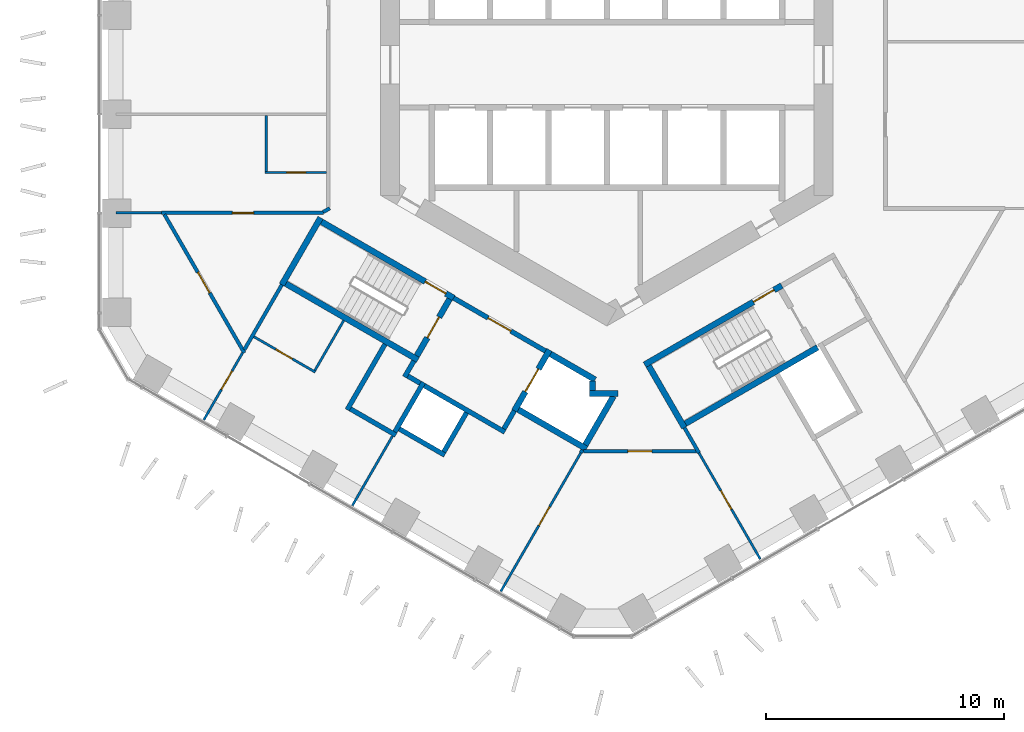
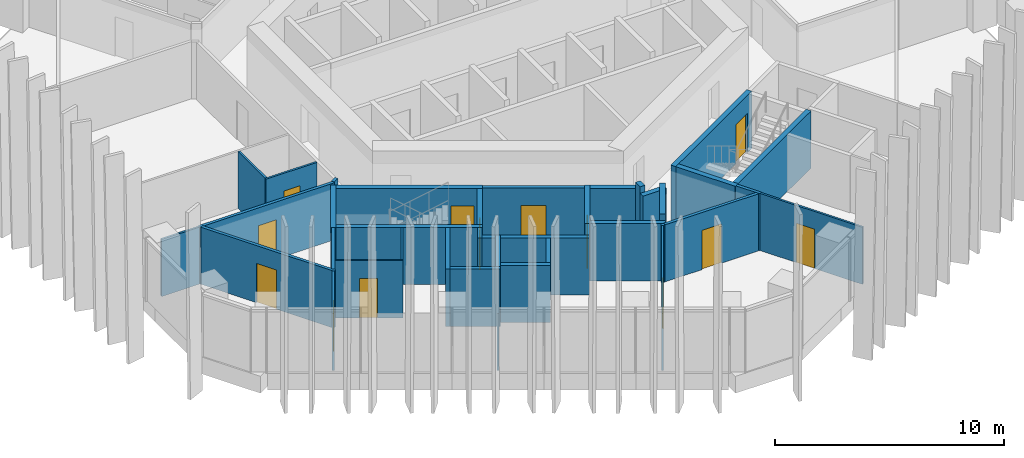
# One storey, part 13 of 20: 39 walls, 13 doors, 13 openings.
"""IFC4 building model written with IfcOpenShell, lengths in metres."""

from ifc_helpers import new_model, si_unit, direction, frame, frame_2d, origin, place, context, subcontext, project, spatial, rectangle, extrude, material, layer, layer_set, type_object, element, fill, save


model = new_model("IFC4")

# Units and contexts
model_context = context("Model", 3, precision=1e-05, world=origin(), true_north=direction((0.0, 1.0)))
body_context = subcontext(model_context, "Body", "Model", "MODEL_VIEW")
ifc_project = project(units=[si_unit("LENGTHUNIT", "METRE"), si_unit("AREAUNIT", "SQUARE_METRE"), si_unit("VOLUMEUNIT", "CUBIC_METRE"), si_unit("PLANEANGLEUNIT", "RADIAN"), si_unit("MASSUNIT", "GRAM", prefix="KILO")], contexts=[model_context])

# Site, building, storey
site_placement = place(None, origin())
site = spatial("IfcSite", under=ifc_project, at=site_placement, CompositionType="ELEMENT")
building_placement = place(site_placement, origin())
building = spatial("IfcBuilding", under=site, at=building_placement, Name="Ayvan Gate Tower", CompositionType="ELEMENT")
storey_placement = place(building_placement, frame((0.0, 0.0, 35.699951171875)))
storey = spatial("IfcBuildingStorey", under=building, at=storey_placement, Name="L08", CompositionType="ELEMENT", Elevation=35.699951171875)

# Wall, opening, door
ifc_material_1 = material(Name="Plasterboard on steel stud", Category="steel")
ifc_layer_1 = layer(ifc_material_1, 0.14990234375)
ifc_layer_set_1 = layer_set([ifc_layer_1], Name="Plasterboard on steel stud")
wall_type_1 = type_object("IfcWallType", Name="WT-CORR-150", PredefinedType="PARTITIONING", material=ifc_layer_set_1)
wall_1_placement = place(storey_placement, frame((-18.69091796875, -6.222412109375, 0.0), z_axis=(0.0, 0.0, 1.0), x_axis=(1.0, 0.0, 0.0)))
wall_1 = element("IfcWall", 1, at=wall_1_placement, inside=storey, type_object=wall_type_1, Name="IW-L08-003", PredefinedType="PARTITIONING", context=body_context, shape_type="SweptSolid", body=[
    extrude(rectangle(XDim=6.788330078125, YDim=0.14990234375, at=frame_2d((3.39404296875, 0.0))), origin(), (0.0, 0.0, 1.0), 3.050048828125),
])
opening_1_placement = place(wall_1_placement, frame((2.96142578125, 0.0, 0.0)))
opening_1 = element("IfcOpeningElement", 2, at=opening_1_placement, cuts=wall_1, Name="Opening L08-D23", PredefinedType="OPENING", context=body_context, shape_type="SweptSolid", body=[
    extrude(rectangle(XDim=0.89990234375, YDim=2.10009765625, at=frame_2d((0.449951171875, 1.050048828125))), frame((0.0, 0.0849609375, 0.0), z_axis=(0.0, -1.0, 0.0), x_axis=(1.0, 0.0, 0.0)), (0.0, 0.0, 1.0), 0.169921875),
])
ifc_material_2 = material(Name="Timber door leaf", Category="wood")
door_type_1 = type_object("IfcDoorType", Name="DT-900", OperationType="NOTDEFINED", PredefinedType="DOOR", material=ifc_material_2)
door_1_placement = place(opening_1_placement, origin())
door_1 = element("IfcDoor", 3, at=door_1_placement, inside=storey, type_object=door_type_1, Name="ID-L08-023", OperationType="SINGLE_SWING_LEFT", OverallHeight=2.10009765625, OverallWidth=0.89990234375, PredefinedType="DOOR", context=body_context, shape_type="SweptSolid", body=[
    extrude(rectangle(XDim=0.89990234375, YDim=2.10009765625, at=frame_2d((0.449951171875, 1.050048828125))), frame((0.0, 0.02490234375, 0.0), z_axis=(0.0, -1.0, 0.0), x_axis=(1.0, 0.0, 0.0)), (0.0, 0.0, 1.0), 0.050048828125),
])
fill(opening_1, door_1)

wall_2_placement = place(storey_placement, frame((-15.2236328125, -12.09814453125, 0.0), z_axis=(0.0, 0.0, 1.0), x_axis=(-0.499985979596, 0.866033498317, 0.0)))
wall_2 = element("IfcWall", 4, at=wall_2_placement, inside=storey, type_object=wall_type_1, Name="IW-L08-005", PredefinedType="PARTITIONING", context=body_context, shape_type="SweptSolid", body=[
    extrude(rectangle(XDim=6.709716796875, YDim=0.14990234375, at=frame_2d((3.35498046875, 0.0))), origin(), (0.0, 0.0, 1.0), 3.050048828125),
])
opening_2_placement = place(wall_2_placement, frame((2.90966796875, 0.0, 0.0)))
opening_2 = element("IfcOpeningElement", 5, at=opening_2_placement, cuts=wall_2, Name="Opening L08-D25", PredefinedType="OPENING", context=body_context, shape_type="SweptSolid", body=[
    extrude(rectangle(XDim=1.0, YDim=2.10009765625, at=frame_2d((0.5, 1.050048828125))), frame((0.0, 0.0849609375, 0.0), z_axis=(0.0, -1.0, 0.0), x_axis=(1.0, 0.0, 0.0)), (0.0, 0.0, 1.0), 0.169921875),
])
door_type_2 = type_object("IfcDoorType", Name="DT-1000", OperationType="NOTDEFINED", PredefinedType="DOOR", material=ifc_material_2)
door_2_placement = place(opening_2_placement, origin())
door_2 = element("IfcDoor", 6, at=door_2_placement, inside=storey, type_object=door_type_2, Name="ID-L08-025", OperationType="SINGLE_SWING_LEFT", OverallHeight=2.10009765625, OverallWidth=1.0, PredefinedType="DOOR", context=body_context, shape_type="SweptSolid", body=[
    extrude(rectangle(XDim=1.0, YDim=2.10009765625, at=frame_2d((0.5, 1.050048828125))), frame((0.0, 0.02490234375, 0.0), z_axis=(0.0, -1.0, 0.0), x_axis=(1.0, 0.0, 0.0)), (0.0, 0.0, 1.0), 0.050048828125),
])
fill(opening_2, door_2)

# Walls
wall_3_placement = place(storey_placement, frame((-15.2236328125, -11.96826171875, 0.0), z_axis=(0.0, 0.0, 1.0), x_axis=(0.500013012896, 0.866017890655, 0.0)))
element("IfcWall", 7, at=wall_3_placement, inside=storey, type_object=wall_type_1, Name="IW-L08-008", PredefinedType="PARTITIONING", context=body_context, shape_type="SweptSolid", body=[
    extrude(rectangle(XDim=3.15185546875, YDim=0.14990234375, at=frame_2d((1.575927734375, 0.0))), origin(), (0.0, 0.0, 1.0), 3.050048828125),
])
wall_4_placement = place(storey_placement, frame((-11.91259765625, -6.184814453125, 0.0), z_axis=(0.0, 0.0, 1.0), x_axis=(0.866172903102, 0.499744436618, 0.0)))
element("IfcWall", 8, at=wall_4_placement, inside=storey, type_object=wall_type_1, Name="IW-L08-017", PredefinedType="PARTITIONING", context=body_context, shape_type="SweptSolid", body=[
    extrude(rectangle(XDim=0.320556640625, YDim=0.14990234375, at=frame_2d((0.16015625, 0.0))), origin(), (0.0, 0.0, 1.0), 3.050048828125),
])
wall_5_placement = place(storey_placement, frame((-1.095703125, -16.298095703125, 0.0), z_axis=(0.0, 0.0, 1.0), x_axis=(0.499004859493, 0.866599186592, 0.0)))
element("IfcWall", 9, at=wall_5_placement, inside=storey, type_object=wall_type_1, Name="IW-L08-057", PredefinedType="PARTITIONING", context=body_context, shape_type="SweptSolid", body=[
    extrude(rectangle(XDim=0.137451171875, YDim=0.14990234375, at=frame_2d((0.06884765625, 0.0))), origin(), (0.0, 0.0, 1.0), 3.050048828125),
])
wall_6_placement = place(storey_placement, frame((3.255615234375, -15.23876953125, 0.0), z_axis=(0.0, 0.0, 1.0), x_axis=(0.499981614633, -0.866036018321, 0.0)))
element("IfcWall", 10, at=wall_6_placement, inside=storey, type_object=wall_type_1, Name="IW-L08-077", PredefinedType="PARTITIONING", context=body_context, shape_type="SweptSolid", body=[
    extrude(rectangle(XDim=1.22314453125, YDim=0.14990234375, at=frame_2d((0.611572265625, 0.0))), origin(), (0.0, 0.0, 1.0), 3.050048828125),
])

# Wall, opening, door
wall_7_placement = place(storey_placement, frame((3.754638671875, -16.233154296875, 0.0), z_axis=(0.0, 0.0, 1.0), x_axis=(-1.0, 0.0, 0.0)))
wall_7 = element("IfcWall", 11, at=wall_7_placement, inside=storey, type_object=wall_type_1, Name="IW-L08-081", PredefinedType="PARTITIONING", context=body_context, shape_type="SweptSolid", body=[
    extrude(rectangle(XDim=4.738037109375, YDim=0.14990234375, at=frame_2d((2.369140625, 0.0))), origin(), (0.0, 0.0, 1.0), 3.050048828125),
])
opening_3_placement = place(wall_7_placement, frame((1.868896484375, 0.0, 0.0)))
opening_3 = element("IfcOpeningElement", 12, at=opening_3_placement, cuts=wall_7, Name="Opening L08-D28", PredefinedType="OPENING", context=body_context, shape_type="SweptSolid", body=[
    extrude(rectangle(XDim=1.0, YDim=2.10009765625, at=frame_2d((0.5, 1.050048828125))), frame((0.0, 0.0849609375, 0.0), z_axis=(0.0, -1.0, 0.0), x_axis=(1.0, 0.0, 0.0)), (0.0, 0.0, 1.0), 0.169921875),
])
door_3_placement = place(opening_3_placement, origin())
door_3 = element("IfcDoor", 13, at=door_3_placement, inside=storey, type_object=door_type_2, Name="ID-L08-028", OperationType="SINGLE_SWING_RIGHT", OverallHeight=2.10009765625, OverallWidth=1.0, PredefinedType="DOOR", context=body_context, shape_type="SweptSolid", body=[
    extrude(rectangle(XDim=1.0, YDim=2.10009765625, at=frame_2d((0.5, 1.050048828125))), frame((0.0, 0.02490234375, 0.0), z_axis=(0.0, -1.0, 0.0), x_axis=(1.0, 0.0, 0.0)), (0.0, 0.0, 1.0), 0.050048828125),
])
fill(opening_3, door_3)

# Wall
ifc_layer_2 = layer(ifc_material_1, 0.10009765625)
ifc_layer_set_2 = layer_set([ifc_layer_2], Name="Plasterboard on steel stud")
wall_type_2 = type_object("IfcWallType", Name="WT-PART-100", PredefinedType="PARTITIONING", material=ifc_layer_set_2)
wall_8_placement = place(storey_placement, frame((-18.69091796875, -6.222412109375, 0.0), z_axis=(0.0, 0.0, 1.0), x_axis=(-1.0, 0.0, 0.0)))
element("IfcWall", 14, at=wall_8_placement, inside=storey, type_object=wall_type_2, Name="IW-L08-002", PredefinedType="PARTITIONING", context=body_context, shape_type="SweptSolid", body=[
    extrude(rectangle(XDim=1.915771484375, YDim=0.10009765625, at=frame_2d((0.9580078125, 0.0))), origin(), (0.0, 0.0, 1.0), 3.050048828125),
])

# Wall, opening, door
wall_9_placement = place(storey_placement, frame((-15.298583984375, -12.09814453125, 0.0), z_axis=(0.0, 0.0, 1.0), x_axis=(-0.50003633994, -0.866004421894, 0.0)))
wall_9 = element("IfcWall", 15, at=wall_9_placement, inside=storey, type_object=wall_type_2, Name="IW-L08-006", PredefinedType="PARTITIONING", context=body_context, shape_type="SweptSolid", body=[
    extrude(rectangle(XDim=3.254150390625, YDim=0.10009765625, at=frame_2d((1.626953125, 0.0))), origin(), (0.0, 0.0, 1.0), 3.050048828125),
])
opening_4_placement = place(wall_9_placement, frame((0.87890625, 0.0, 0.0)))
opening_4 = element("IfcOpeningElement", 16, at=opening_4_placement, cuts=wall_9, Name="Opening L08-D26", PredefinedType="OPENING", context=body_context, shape_type="SweptSolid", body=[
    extrude(rectangle(XDim=0.89990234375, YDim=2.10009765625, at=frame_2d((0.449951171875, 1.050048828125))), frame((0.0, 0.06005859375, 0.0), z_axis=(0.0, -1.0, 0.0), x_axis=(1.0, 0.0, 0.0)), (0.0, 0.0, 1.0), 0.1201171875),
])
door_4_placement = place(opening_4_placement, origin())
door_4 = element("IfcDoor", 17, at=door_4_placement, inside=storey, type_object=door_type_1, Name="ID-L08-026", OperationType="SINGLE_SWING_RIGHT", OverallHeight=2.10009765625, OverallWidth=0.89990234375, PredefinedType="DOOR", context=body_context, shape_type="SweptSolid", body=[
    extrude(rectangle(XDim=0.89990234375, YDim=2.10009765625, at=frame_2d((0.449951171875, 1.050048828125))), frame((0.0, 0.02490234375, 0.0), z_axis=(0.0, -1.0, 0.0), x_axis=(1.0, 0.0, 0.0)), (0.0, 0.0, 1.0), 0.050048828125),
])
fill(opening_4, door_4)

wall_10_placement = place(storey_placement, frame((-14.8203125, -11.419677734375, 0.0), z_axis=(0.0, 0.0, 1.0), x_axis=(0.866017493347, -0.500013701029, 0.0)))
wall_10 = element("IfcWall", 18, at=wall_10_placement, inside=storey, type_object=wall_type_2, Name="IW-L08-007", PredefinedType="PARTITIONING", context=body_context, shape_type="SweptSolid", body=[
    extrude(rectangle(XDim=2.97509765625, YDim=0.10009765625, at=frame_2d((1.487548828125, 0.0))), origin(), (0.0, 0.0, 1.0), 3.050048828125),
])
opening_5_placement = place(wall_10_placement, frame((1.0625, 0.0, 0.0)))
opening_5 = element("IfcOpeningElement", 19, at=opening_5_placement, cuts=wall_10, Name="Opening L08-D27", PredefinedType="OPENING", context=body_context, shape_type="SweptSolid", body=[
    extrude(rectangle(XDim=0.800048828125, YDim=2.10009765625, at=frame_2d((0.39990234375, 1.050048828125))), frame((0.0, 0.06005859375, 0.0), z_axis=(0.0, -1.0, 0.0), x_axis=(1.0, 0.0, 0.0)), (0.0, 0.0, 1.0), 0.1201171875),
])
door_type_3 = type_object("IfcDoorType", Name="DT-800", OperationType="NOTDEFINED", PredefinedType="DOOR", material=ifc_material_2)
door_5_placement = place(opening_5_placement, origin())
door_5 = element("IfcDoor", 20, at=door_5_placement, inside=storey, type_object=door_type_3, Name="ID-L08-027", OperationType="SINGLE_SWING_LEFT", OverallHeight=2.10009765625, OverallWidth=0.800048828125, PredefinedType="DOOR", context=body_context, shape_type="SweptSolid", body=[
    extrude(rectangle(XDim=0.800048828125, YDim=2.10009765625, at=frame_2d((0.39990234375, 1.050048828125))), frame((0.0, 0.02490234375, 0.0), z_axis=(0.0, -1.0, 0.0), x_axis=(1.0, 0.0, 0.0)), (0.0, 0.0, 1.0), 0.050048828125),
])
fill(opening_5, door_5)

wall_11_placement = place(storey_placement, frame((-14.35009765625, -4.5224609375, 0.0), z_axis=(0.0, 0.0, 1.0), x_axis=(1.0, 0.0, 0.0)))
wall_11 = element("IfcWall", 21, at=wall_11_placement, inside=storey, type_object=wall_type_2, Name="IW-L08-010", PredefinedType="PARTITIONING", context=body_context, shape_type="SweptSolid", body=[
    extrude(rectangle(XDim=2.5751953125, YDim=0.10009765625, at=frame_2d((1.28759765625, 0.0))), origin(), (0.0, 0.0, 1.0), 3.050048828125),
])
opening_6_placement = place(wall_11_placement, frame((0.91259765625, 0.0, 0.0)))
opening_6 = element("IfcOpeningElement", 22, at=opening_6_placement, cuts=wall_11, Name="Opening L08-D24", PredefinedType="OPENING", context=body_context, shape_type="SweptSolid", body=[
    extrude(rectangle(XDim=0.800048828125, YDim=2.10009765625, at=frame_2d((0.39990234375, 1.050048828125))), frame((0.0, 0.06005859375, 0.0), z_axis=(0.0, -1.0, 0.0), x_axis=(1.0, 0.0, 0.0)), (0.0, 0.0, 1.0), 0.1201171875),
])
door_6_placement = place(opening_6_placement, origin())
door_6 = element("IfcDoor", 23, at=door_6_placement, inside=storey, type_object=door_type_3, Name="ID-L08-024", OperationType="SINGLE_SWING_RIGHT", OverallHeight=2.10009765625, OverallWidth=0.800048828125, PredefinedType="DOOR", context=body_context, shape_type="SweptSolid", body=[
    extrude(rectangle(XDim=0.800048828125, YDim=2.10009765625, at=frame_2d((0.39990234375, 1.050048828125))), frame((0.0, 0.02490234375, 0.0), z_axis=(0.0, -1.0, 0.0), x_axis=(1.0, 0.0, 0.0)), (0.0, 0.0, 1.0), 0.050048828125),
])
fill(opening_6, door_6)

# Walls
wall_12_placement = place(storey_placement, frame((-14.300048828125, -2.1240234375, 0.0), z_axis=(0.0, 0.0, 1.0), x_axis=(0.0, -1.0, 0.0)))
element("IfcWall", 24, at=wall_12_placement, inside=storey, type_object=wall_type_2, Name="IW-L08-011", PredefinedType="PARTITIONING", context=body_context, shape_type="SweptSolid", body=[
    extrude(rectangle(XDim=2.348388671875, YDim=0.10009765625, at=frame_2d((1.17431640625, 0.0))), origin(), (0.0, 0.0, 1.0), 3.050048828125),
])
wall_13_placement = place(storey_placement, frame((-12.26220703125, -12.8388671875, 0.0), z_axis=(0.0, 0.0, 1.0), x_axis=(0.499972286653, 0.866041403502, 0.0)))
element("IfcWall", 25, at=wall_13_placement, inside=storey, type_object=wall_type_2, Name="IW-L08-014", PredefinedType="PARTITIONING", context=body_context, shape_type="SweptSolid", body=[
    extrude(rectangle(XDim=2.425048828125, YDim=0.10009765625, at=frame_2d((1.21240234375, 0.0))), origin(), (0.0, 0.0, 1.0), 3.050048828125),
])
wall_14_placement = place(storey_placement, frame((-9.0, -15.58837890625, 0.0), z_axis=(0.0, 0.0, 1.0), x_axis=(-0.499968344795, -0.866043679154, 0.0)))
element("IfcWall", 26, at=wall_14_placement, inside=storey, type_object=wall_type_2, Name="IW-L08-026", PredefinedType="PARTITIONING", context=body_context, shape_type="SweptSolid", body=[
    extrude(rectangle(XDim=3.380615234375, YDim=0.10009765625, at=frame_2d((1.6904296875, 0.0))), origin(), (0.0, 0.0, 1.0), 3.050048828125),
])

# Wall, opening, door
wall_15_placement = place(storey_placement, frame((-4.454833984375, -22.1162109375, 0.0), z_axis=(0.0, 0.0, 1.0), x_axis=(0.500004517121, 0.866022795808, 0.0)))
wall_15 = element("IfcWall", 27, at=wall_15_placement, inside=storey, type_object=wall_type_2, Name="IW-L08-047", PredefinedType="PARTITIONING", context=body_context, shape_type="SweptSolid", body=[
    extrude(rectangle(XDim=6.71826171875, YDim=0.10009765625, at=frame_2d((3.359130859375, 0.0))), origin(), (0.0, 0.0, 1.0), 3.050048828125),
])
opening_7_placement = place(wall_15_placement, frame((3.20703125, 0.0, 0.0)))
opening_7 = element("IfcOpeningElement", 28, at=opening_7_placement, cuts=wall_15, Name="Opening L08-D29", PredefinedType="OPENING", context=body_context, shape_type="SweptSolid", body=[
    extrude(rectangle(XDim=0.89990234375, YDim=2.10009765625, at=frame_2d((0.449951171875, 1.050048828125))), frame((0.0, 0.06005859375, 0.0), z_axis=(0.0, -1.0, 0.0), x_axis=(1.0, 0.0, 0.0)), (0.0, 0.0, 1.0), 0.1201171875),
])
door_7_placement = place(opening_7_placement, origin())
door_7 = element("IfcDoor", 29, at=door_7_placement, inside=storey, type_object=door_type_1, Name="ID-L08-029", OperationType="SINGLE_SWING_LEFT", OverallHeight=2.10009765625, OverallWidth=0.89990234375, PredefinedType="DOOR", context=body_context, shape_type="SweptSolid", body=[
    extrude(rectangle(XDim=0.89990234375, YDim=2.10009765625, at=frame_2d((0.449951171875, 1.050048828125))), frame((0.0, 0.02490234375, 0.0), z_axis=(0.0, -1.0, 0.0), x_axis=(1.0, 0.0, 0.0)), (0.0, 0.0, 1.0), 0.050048828125),
])
fill(opening_7, door_7)

wall_16_placement = place(storey_placement, frame((3.8671875, -16.298095703125, 0.0), z_axis=(0.0, 0.0, 1.0), x_axis=(0.499990325971, -0.866030989016, 0.0)))
wall_16 = element("IfcWall", 30, at=wall_16_placement, inside=storey, type_object=wall_type_2, Name="IW-L08-082", PredefinedType="PARTITIONING", context=body_context, shape_type="SweptSolid", body=[
    extrude(rectangle(XDim=5.154296875, YDim=0.10009765625, at=frame_2d((2.5771484375, 0.0))), origin(), (0.0, 0.0, 1.0), 3.050048828125),
])
opening_8_placement = place(wall_16_placement, frame((1.8291015625, 0.0, 0.0)))
opening_8 = element("IfcOpeningElement", 31, at=opening_8_placement, cuts=wall_16, Name="Opening L08-D30", PredefinedType="OPENING", context=body_context, shape_type="SweptSolid", body=[
    extrude(rectangle(XDim=0.89990234375, YDim=2.10009765625, at=frame_2d((0.449951171875, 1.050048828125))), frame((0.0, 0.06005859375, 0.0), z_axis=(0.0, -1.0, 0.0), x_axis=(1.0, 0.0, 0.0)), (0.0, 0.0, 1.0), 0.1201171875),
])
door_8_placement = place(opening_8_placement, origin())
door_8 = element("IfcDoor", 32, at=door_8_placement, inside=storey, type_object=door_type_1, Name="ID-L08-030", OperationType="SINGLE_SWING_RIGHT", OverallHeight=2.10009765625, OverallWidth=0.89990234375, PredefinedType="DOOR", context=body_context, shape_type="SweptSolid", body=[
    extrude(rectangle(XDim=0.89990234375, YDim=2.10009765625, at=frame_2d((0.449951171875, 1.050048828125))), frame((0.0, 0.02490234375, 0.0), z_axis=(0.0, -1.0, 0.0), x_axis=(1.0, 0.0, 0.0)), (0.0, 0.0, 1.0), 0.050048828125),
])
fill(opening_8, door_8)

# Walls
ifc_layer_3 = layer(ifc_material_1, 0.199951171875)
ifc_layer_set_3 = layer_set([ifc_layer_3], Name="Plasterboard on steel stud")
wall_type_3 = type_object("IfcWallType", Name="WT-PLUMB-200", PredefinedType="PLUMBINGWALL", material=ifc_layer_set_3)
wall_17_placement = place(storey_placement, frame((-10.9052734375, -14.488525390625, 0.0), z_axis=(0.0, 0.0, 1.0), x_axis=(0.499959856469, 0.866048579423, 0.0)))
element("IfcWall", 33, at=wall_17_placement, inside=storey, type_object=wall_type_3, Name="IW-L08-023", PredefinedType="PLUMBINGWALL", context=body_context, shape_type="SweptSolid", body=[
    extrude(rectangle(XDim=3.175048828125, YDim=0.199951171875, at=frame_2d((1.58740234375, 0.0))), origin(), (0.0, 0.0, 1.0), 3.050048828125),
])
wall_18_placement = place(storey_placement, frame((-8.86328125, -15.552001953125, 0.0), z_axis=(0.0, 0.0, 1.0), x_axis=(-0.866035918664, 0.499981787252, 0.0)))
element("IfcWall", 34, at=wall_18_placement, inside=storey, type_object=wall_type_3, Name="IW-L08-025", PredefinedType="PLUMBINGWALL", context=body_context, shape_type="SweptSolid", body=[
    extrude(rectangle(XDim=2.2001953125, YDim=0.199951171875, at=frame_2d((1.10009765625, 0.0))), origin(), (0.0, 0.0, 1.0), 3.050048828125),
])
wall_19_placement = place(storey_placement, frame((-8.492919921875, -13.110107421875, 0.0), z_axis=(0.0, 0.0, 1.0), x_axis=(0.500067724834, 0.865986299303, 0.0)))
element("IfcWall", 35, at=wall_19_placement, inside=storey, type_object=wall_type_3, Name="IW-L08-030", PredefinedType="PLUMBINGWALL", context=body_context, shape_type="SweptSolid", body=[
    extrude(rectangle(XDim=0.775390625, YDim=0.199951171875, at=frame_2d((0.3876953125, 0.0))), origin(), (0.0, 0.0, 1.0), 3.050048828125),
])
wall_20_placement = place(storey_placement, frame((-7.699951171875, -13.3369140625, 0.0), z_axis=(0.0, 0.0, 1.0), x_axis=(-0.500001309137, -0.866024647952, 0.0)))
element("IfcWall", 36, at=wall_20_placement, inside=storey, type_object=wall_type_3, Name="IW-L08-031", PredefinedType="PLUMBINGWALL", context=body_context, shape_type="SweptSolid", body=[
    extrude(rectangle(XDim=2.39990234375, YDim=0.199951171875, at=frame_2d((1.199951171875, 0.0))), origin(), (0.0, 0.0, 1.0), 3.050048828125),
])
wall_21_placement = place(storey_placement, frame((-7.83642578125, -13.373291015625, 0.0), z_axis=(0.0, 0.0, 1.0), x_axis=(-0.866232998003, 0.499640263761, 0.0)))
element("IfcWall", 37, at=wall_21_placement, inside=storey, type_object=wall_type_3, Name="IW-L08-032", PredefinedType="PLUMBINGWALL", context=body_context, shape_type="SweptSolid", body=[
    extrude(rectangle(XDim=0.60009765625, YDim=0.199951171875, at=frame_2d((0.300048828125, 0.0))), origin(), (0.0, 0.0, 1.0), 3.050048828125),
])
wall_22_placement = place(storey_placement, frame((-6.80810546875, -16.39208984375, 0.0), z_axis=(0.0, 0.0, 1.0), x_axis=(-0.866008176907, 0.50002983664, 0.0)))
element("IfcWall", 38, at=wall_22_placement, inside=storey, type_object=wall_type_3, Name="IW-L08-038", PredefinedType="PLUMBINGWALL", context=body_context, shape_type="SweptSolid", body=[
    extrude(rectangle(XDim=2.199951171875, YDim=0.199951171875, at=frame_2d((1.10009765625, 0.0))), origin(), (0.0, 0.0, 1.0), 3.050048828125),
])
wall_23_placement = place(storey_placement, frame((-5.894775390625, -14.610107421875, 0.0), z_axis=(0.0, 0.0, 1.0), x_axis=(-0.500022797313, -0.86601224135, 0.0)))
element("IfcWall", 39, at=wall_23_placement, inside=storey, type_object=wall_type_3, Name="IW-L08-041", PredefinedType="PLUMBINGWALL", context=body_context, shape_type="SweptSolid", body=[
    extrude(rectangle(XDim=1.89990234375, YDim=0.199951171875, at=frame_2d((0.949951171875, 0.0))), origin(), (0.0, 0.0, 1.0), 3.050048828125),
])

# Wall, opening, door
ifc_layer_4 = layer(ifc_material_1, 0.199951171875)
ifc_layer_set_4 = layer_set([ifc_layer_4], Name="Plasterboard on steel stud")
wall_type_4 = type_object("IfcWallType", Name="WT-RATED-200", PredefinedType="PARTITIONING", material=ifc_layer_set_4)
wall_24_placement = place(storey_placement, frame((-6.4345703125, -9.794921875, 0.0), z_axis=(0.0, 0.0, 1.0), x_axis=(0.866012907634, -0.500021643343, 0.0)))
wall_24 = element("IfcWall", 40, at=wall_24_placement, inside=storey, type_object=wall_type_4, Name="IW-L08-040", PredefinedType="PARTITIONING", context=body_context, shape_type="SweptSolid", body=[
    extrude(rectangle(XDim=4.449951171875, YDim=0.199951171875, at=frame_2d((2.22509765625, 0.0))), origin(), (0.0, 0.0, 1.0), 3.050048828125),
])
opening_9_placement = place(wall_24_placement, frame((1.675048828125, 0.0, 0.0)))
opening_9 = element("IfcOpeningElement", 41, at=opening_9_placement, cuts=wall_24, Name="Opening L08-D12", PredefinedType="OPENING", context=body_context, shape_type="SweptSolid", body=[
    extrude(rectangle(XDim=1.10009765625, YDim=2.10009765625, at=frame_2d((0.550048828125, 1.050048828125))), frame((0.0, 0.10986328125, 0.0), z_axis=(0.0, -1.0, 0.0), x_axis=(1.0, 0.0, 0.0)), (0.0, 0.0, 1.0), 0.219970703125),
])
door_type_4 = type_object("IfcDoorType", Name="DT-1100", OperationType="NOTDEFINED", PredefinedType="DOOR", material=ifc_material_2)
door_9_placement = place(opening_9_placement, origin())
door_9 = element("IfcDoor", 42, at=door_9_placement, inside=storey, type_object=door_type_4, Name="ID-L08-012", OperationType="SINGLE_SWING_RIGHT", OverallHeight=2.10009765625, OverallWidth=1.10009765625, PredefinedType="DOOR", context=body_context, shape_type="SweptSolid", body=[
    extrude(rectangle(XDim=1.10009765625, YDim=2.10009765625, at=frame_2d((0.550048828125, 1.050048828125))), frame((0.0, 0.02490234375, 0.0), z_axis=(0.0, -1.0, 0.0), x_axis=(1.0, 0.0, 0.0)), (0.0, 0.0, 1.0), 0.050048828125),
])
fill(opening_9, door_9)

# Walls
wall_25_placement = place(storey_placement, frame((-4.285888671875, -15.42333984375, 0.0), z_axis=(0.0, 0.0, 1.0), x_axis=(-0.866042777325, 0.499969906938, 0.0)))
element("IfcWall", 43, at=wall_25_placement, inside=storey, type_object=wall_type_4, Name="IW-L08-046", PredefinedType="PARTITIONING", context=body_context, shape_type="SweptSolid", body=[
    extrude(rectangle(XDim=3.900146484375, YDim=0.199951171875, at=frame_2d((1.9501953125, 0.0))), origin(), (0.0, 0.0, 1.0), 3.050048828125),
])
wall_26_placement = place(storey_placement, frame((-3.885009765625, -14.52880859375, 0.0), z_axis=(0.0, 0.0, 1.0), x_axis=(-0.499859285417, -0.866106630146, 0.0)))
element("IfcWall", 44, at=wall_26_placement, inside=storey, type_object=wall_type_4, Name="IW-L08-048", PredefinedType="PARTITIONING", context=body_context, shape_type="SweptSolid", body=[
    extrude(rectangle(XDim=0.875244140625, YDim=0.199951171875, at=frame_2d((0.4375, 0.0))), origin(), (0.0, 0.0, 1.0), 3.050048828125),
])
ifc_material_3 = material(Name="Concrete C50/60", Category="concrete")
ifc_layer_5 = layer(ifc_material_3, 0.25)
ifc_layer_set_5 = layer_set([ifc_layer_5], Name="Concrete C50/60")
wall_type_5 = type_object("IfcWallType", Name="WT-RC-250", PredefinedType="SHEAR", material=ifc_layer_set_5)
wall_27_placement = place(storey_placement, frame((-13.64794921875, -9.23876953125, 0.0), z_axis=(0.0, 0.0, 1.0), x_axis=(0.500017246033, 0.866015446554, 0.0)))
element("IfcWall", 45, at=wall_27_placement, inside=storey, type_object=wall_type_5, Name="IW-L08-013", PredefinedType="SHEAR", context=body_context, shape_type="SweptSolid", body=[
    extrude(rectangle(XDim=3.25, YDim=0.25, at=frame_2d((1.625, 0.0))), origin(), (0.0, 0.0, 1.0), 3.050048828125),
])

# Wall, opening, door
wall_28_placement = place(storey_placement, frame((-11.97705078125, -6.594970703125, 0.0), z_axis=(0.0, 0.0, 1.0), x_axis=(0.866025499775, -0.499999833739, 0.0)))
wall_28 = element("IfcWall", 46, at=wall_28_placement, inside=storey, type_object=wall_type_5, Name="IW-L08-015", PredefinedType="SHEAR", context=body_context, shape_type="SweptSolid", body=[
    extrude(rectangle(XDim=6.39990234375, YDim=0.25, at=frame_2d((3.199951171875, 0.0))), origin(), (0.0, 0.0, 1.0), 3.050048828125),
])
opening_10_placement = place(wall_28_placement, frame((5.02490234375, 0.0, 0.0)))
opening_10 = element("IfcOpeningElement", 47, at=opening_10_placement, cuts=wall_28, Name="Opening L08-D10", PredefinedType="OPENING", context=body_context, shape_type="SweptSolid", body=[
    extrude(rectangle(XDim=1.0, YDim=2.10009765625, at=frame_2d((0.5, 1.050048828125))), frame((0.0, 0.135009765625, 0.0), z_axis=(0.0, -1.0, 0.0), x_axis=(1.0, 0.0, 0.0)), (0.0, 0.0, 1.0), 0.27001953125),
])
door_10_placement = place(opening_10_placement, origin())
door_10 = element("IfcDoor", 48, at=door_10_placement, inside=storey, type_object=door_type_2, Name="ID-L08-010", OperationType="SINGLE_SWING_RIGHT", OverallHeight=2.10009765625, OverallWidth=1.0, PredefinedType="DOOR", context=body_context, shape_type="SweptSolid", body=[
    extrude(rectangle(XDim=1.0, YDim=2.10009765625, at=frame_2d((0.5, 1.050048828125))), frame((0.0, 0.02490234375, 0.0), z_axis=(0.0, -1.0, 0.0), x_axis=(1.0, 0.0, 0.0)), (0.0, 0.0, 1.0), 0.050048828125),
])
fill(opening_10, door_10)

# Wall
wall_29_placement = place(storey_placement, frame((-13.47705078125, -9.193115234375, 0.0), z_axis=(0.0, 0.0, 1.0), x_axis=(0.866025499775, -0.499999833739, 0.0)))
element("IfcWall", 49, at=wall_29_placement, inside=storey, type_object=wall_type_5, Name="IW-L08-021", PredefinedType="SHEAR", context=body_context, shape_type="SweptSolid", body=[
    extrude(rectangle(XDim=6.39990234375, YDim=0.25, at=frame_2d((3.199951171875, 0.0))), origin(), (0.0, 0.0, 1.0), 3.050048828125),
])

# Wall, opening, door
wall_30_placement = place(storey_placement, frame((-6.605224609375, -9.8408203125, 0.0), z_axis=(0.0, 0.0, 1.0), x_axis=(-0.499996545922, -0.866027397988, 0.0)))
wall_30 = element("IfcWall", 50, at=wall_30_placement, inside=storey, type_object=wall_type_5, Name="IW-L08-039", PredefinedType="SHEAR", context=body_context, shape_type="SweptSolid", body=[
    extrude(rectangle(XDim=2.75, YDim=0.25, at=frame_2d((1.375, 0.0))), origin(), (0.0, 0.0, 1.0), 3.050048828125),
])
opening_11_placement = place(wall_30_placement, frame((0.875, 0.0, 0.0)))
opening_11 = element("IfcOpeningElement", 51, at=opening_11_placement, cuts=wall_30, Name="Opening L08-D11", PredefinedType="OPENING", context=body_context, shape_type="SweptSolid", body=[
    extrude(rectangle(XDim=1.0, YDim=2.10009765625, at=frame_2d((0.5, 1.050048828125))), frame((0.0, 0.135009765625, 0.0), z_axis=(0.0, -1.0, 0.0), x_axis=(1.0, 0.0, 0.0)), (0.0, 0.0, 1.0), 0.27001953125),
])
door_11_placement = place(opening_11_placement, origin())
door_11 = element("IfcDoor", 52, at=door_11_placement, inside=storey, type_object=door_type_2, Name="ID-L08-011", OperationType="SINGLE_SWING_LEFT", OverallHeight=2.10009765625, OverallWidth=1.0, PredefinedType="DOOR", context=body_context, shape_type="SweptSolid", body=[
    extrude(rectangle(XDim=1.0, YDim=2.10009765625, at=frame_2d((0.5, 1.050048828125))), frame((0.0, 0.02490234375, 0.0), z_axis=(0.0, -1.0, 0.0), x_axis=(1.0, 0.0, 0.0)), (0.0, 0.0, 1.0), 0.050048828125),
])
fill(opening_11, door_11)

wall_31_placement = place(storey_placement, frame((-2.409912109375, -11.97412109375, 0.0), z_axis=(0.0, 0.0, 1.0), x_axis=(-0.500001826776, -0.866024349092, 0.0)))
wall_31 = element("IfcWall", 53, at=wall_31_placement, inside=storey, type_object=wall_type_5, Name="IW-L08-053", PredefinedType="SHEAR", context=body_context, shape_type="SweptSolid", body=[
    extrude(rectangle(XDim=2.9501953125, YDim=0.25, at=frame_2d((1.47509765625, 0.0))), origin(), (0.0, 0.0, 1.0), 3.050048828125),
])
opening_12_placement = place(wall_31_placement, frame((0.925048828125, 0.0, 0.0)))
opening_12 = element("IfcOpeningElement", 54, at=opening_12_placement, cuts=wall_31, Name="Opening L08-LD-FF2", PredefinedType="OPENING", context=body_context, shape_type="SweptSolid", body=[
    extrude(rectangle(XDim=1.10009765625, YDim=2.10009765625, at=frame_2d((0.550048828125, 1.050048828125))), frame((0.0, 0.135009765625, 0.0), z_axis=(0.0, -1.0, 0.0), x_axis=(1.0, 0.0, 0.0)), (0.0, 0.0, 1.0), 0.27001953125),
])
ifc_material_4 = material(Name="Stainless steel landing door", Category="steel")
door_type_5 = type_object("IfcDoorType", Name="DT-LANDING-1100", OperationType="SLIDING_TO_LEFT", PredefinedType="DOOR", material=ifc_material_4)
door_12_placement = place(opening_12_placement, origin())
door_12 = element("IfcDoor", 55, at=door_12_placement, inside=storey, type_object=door_type_5, Name="ID-L08-013", OperationType="SLIDING_TO_LEFT", OverallHeight=2.10009765625, OverallWidth=1.10009765625, PredefinedType="DOOR", context=body_context, shape_type="SweptSolid", body=[
    extrude(rectangle(XDim=1.10009765625, YDim=2.10009765625, at=frame_2d((0.550048828125, 1.050048828125))), frame((0.0, 0.02490234375, 0.0), z_axis=(0.0, -1.0, 0.0), x_axis=(1.0, 0.0, 0.0)), (0.0, 0.0, 1.0), 0.050048828125),
])
fill(opening_12, door_12)

# Walls
wall_32_placement = place(storey_placement, frame((-2.3642578125, -12.14501953125, 0.0), z_axis=(0.0, 0.0, 1.0), x_axis=(0.86603892542, -0.499976579108, 0.0)))
element("IfcWall", 56, at=wall_32_placement, inside=storey, type_object=wall_type_5, Name="IW-L08-054", PredefinedType="SHEAR", context=body_context, shape_type="SweptSolid", body=[
    extrude(rectangle(XDim=2.162109375, YDim=0.25, at=frame_2d((1.0810546875, 0.0))), origin(), (0.0, 0.0, 1.0), 3.050048828125),
])
wall_33_placement = place(storey_placement, frame((-0.8564453125, -16.13330078125, 0.0), z_axis=(0.0, 0.0, 1.0), x_axis=(-0.866021716278, 0.500006386895, 0.0)))
element("IfcWall", 57, at=wall_33_placement, inside=storey, type_object=wall_type_5, Name="IW-L08-058", PredefinedType="SHEAR", context=body_context, shape_type="SweptSolid", body=[
    extrude(rectangle(XDim=3.2998046875, YDim=0.25, at=frame_2d((1.64990234375, 0.0))), origin(), (0.0, 0.0, 1.0), 3.050048828125),
])
wall_34_placement = place(storey_placement, frame((-0.72509765625, -13.81005859375, 0.0), z_axis=(0.0, 0.0, 1.0), x_axis=(1.0, 0.0, 0.0)))
element("IfcWall", 58, at=wall_34_placement, inside=storey, type_object=wall_type_5, Name="IW-L08-060", PredefinedType="SHEAR", context=body_context, shape_type="SweptSolid", body=[
    extrude(rectangle(XDim=1.190673828125, YDim=0.25, at=frame_2d((0.59521484375, 0.0))), origin(), (0.0, 0.0, 1.0), 3.050048828125),
])
wall_35_placement = place(storey_placement, frame((-0.60009765625, -13.28857421875, 0.0), z_axis=(0.0, 0.0, 1.0), x_axis=(0.0, -1.0, 0.0)))
element("IfcWall", 59, at=wall_35_placement, inside=storey, type_object=wall_type_5, Name="IW-L08-061", PredefinedType="SHEAR", context=body_context, shape_type="SweptSolid", body=[
    extrude(rectangle(XDim=0.396484375, YDim=0.25, at=frame_2d((0.1982421875, 0.0))), origin(), (0.0, 0.0, 1.0), 3.400146484375),
])
wall_36_placement = place(storey_placement, frame((0.278076171875, -13.918212890625, 0.0), z_axis=(0.0, 0.0, 1.0), x_axis=(-0.49998806882, -0.866032292145, 0.0)))
element("IfcWall", 60, at=wall_36_placement, inside=storey, type_object=wall_type_5, Name="IW-L08-065", PredefinedType="SHEAR", context=body_context, shape_type="SweptSolid", body=[
    extrude(rectangle(XDim=2.3603515625, YDim=0.25, at=frame_2d((1.18017578125, 0.0))), origin(), (0.0, 0.0, 1.0), 3.400146484375),
])

# Wall, opening, door
wall_37_placement = place(storey_placement, frame((1.584716796875, -12.594970703125, 0.0), z_axis=(0.0, 0.0, 1.0), x_axis=(0.866036417653, 0.499980922934, 0.0)))
wall_37 = element("IfcWall", 61, at=wall_37_placement, inside=storey, type_object=wall_type_5, Name="IW-L08-072", PredefinedType="SHEAR", context=body_context, shape_type="SweptSolid", body=[
    extrude(rectangle(XDim=6.650146484375, YDim=0.25, at=frame_2d((3.3251953125, 0.0))), origin(), (0.0, 0.0, 1.0), 3.050048828125),
])
opening_13_placement = place(wall_37_placement, frame((5.27490234375, 0.0, 0.0)))
opening_13 = element("IfcOpeningElement", 62, at=opening_13_placement, cuts=wall_37, Name="Opening L08-D14", PredefinedType="OPENING", context=body_context, shape_type="SweptSolid", body=[
    extrude(rectangle(XDim=1.0, YDim=2.10009765625, at=frame_2d((0.5, 1.050048828125))), frame((0.0, 0.135009765625, 0.0), z_axis=(0.0, -1.0, 0.0), x_axis=(1.0, 0.0, 0.0)), (0.0, 0.0, 1.0), 0.27001953125),
])
door_13_placement = place(opening_13_placement, origin())
door_13 = element("IfcDoor", 63, at=door_13_placement, inside=storey, type_object=door_type_2, Name="ID-L08-014", OperationType="SINGLE_SWING_RIGHT", OverallHeight=2.10009765625, OverallWidth=1.0, PredefinedType="DOOR", context=body_context, shape_type="SweptSolid", body=[
    extrude(rectangle(XDim=1.0, YDim=2.10009765625, at=frame_2d((0.5, 1.050048828125))), frame((0.0, 0.02490234375, 0.0), z_axis=(0.0, -1.0, 0.0), x_axis=(1.0, 0.0, 0.0)), (0.0, 0.0, 1.0), 0.050048828125),
])
fill(opening_13, door_13)

# Walls
wall_38_placement = place(storey_placement, frame((3.255615234375, -15.23876953125, 0.0), z_axis=(0.0, 0.0, 1.0), x_axis=(-0.50002537861, 0.866010750942, 0.0)))
element("IfcWall", 64, at=wall_38_placement, inside=storey, type_object=wall_type_5, Name="IW-L08-078", PredefinedType="SHEAR", context=body_context, shape_type="SweptSolid", body=[
    extrude(rectangle(XDim=2.999755859375, YDim=0.25, at=frame_2d((1.5, 0.0))), origin(), (0.0, 0.0, 1.0), 3.050048828125),
])
wall_39_placement = place(storey_placement, frame((3.30126953125, -15.068115234375, 0.0), z_axis=(0.0, 0.0, 1.0), x_axis=(0.866035036182, 0.499983315828, 0.0)))
element("IfcWall", 65, at=wall_39_placement, inside=storey, type_object=wall_type_5, Name="IW-L08-088", PredefinedType="SHEAR", context=body_context, shape_type="SweptSolid", body=[
    extrude(rectangle(XDim=6.400146484375, YDim=0.25, at=frame_2d((3.2001953125, 0.0))), origin(), (0.0, 0.0, 1.0), 3.050048828125),
])

save(model, "model.ifc")
